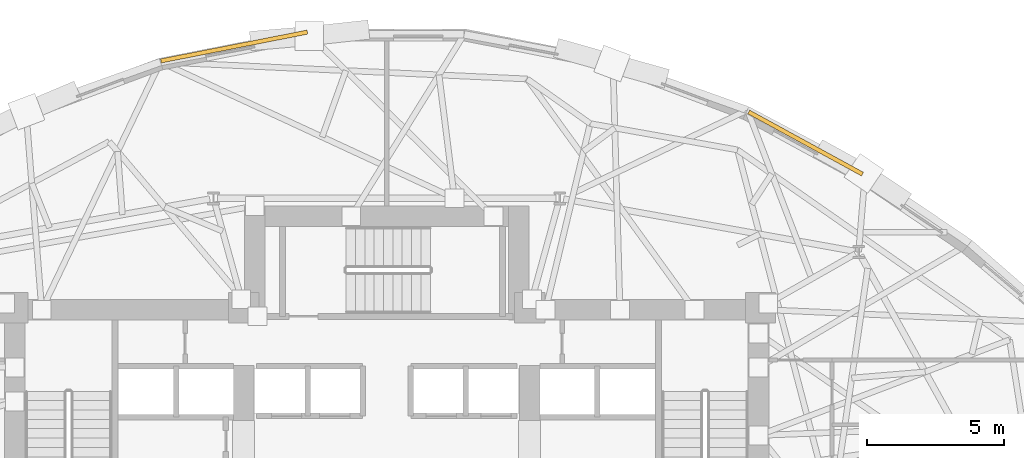
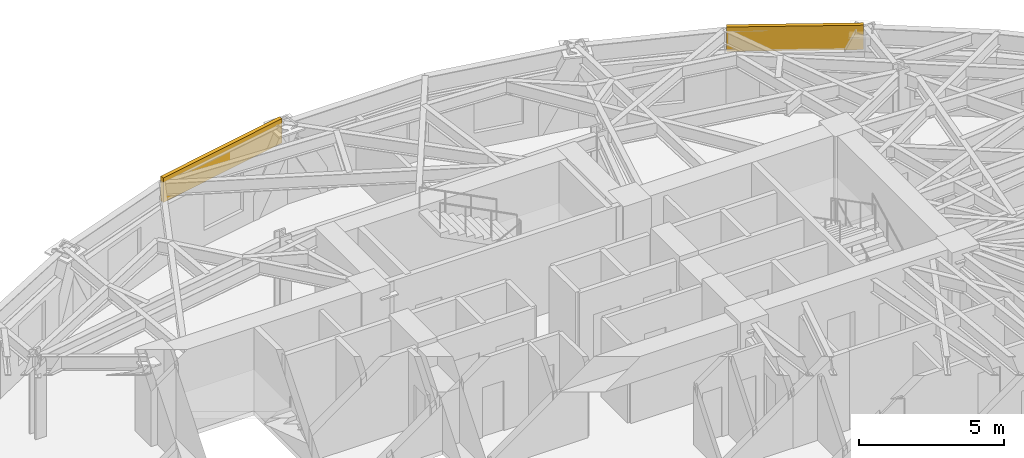
# One storey, part 14 of 14: 2 coverings.
"""IFC4 building model written with IfcOpenShell, lengths in metres."""

from ifc_helpers import new_model, si_unit, direction, frame, origin, origin_2d, place, context, subcontext, project, spatial, rectangle, extrude, material, layer, layer_set, type_object, element, save


model = new_model("IFC4")

# Units and contexts
model_context = context("Model", 3, precision=1e-05, world=origin(), true_north=direction((0.0, 1.0)))
body_context = subcontext(model_context, "Body", "Model", "MODEL_VIEW")
ifc_project = project(units=[si_unit("LENGTHUNIT", "METRE"), si_unit("AREAUNIT", "SQUARE_METRE"), si_unit("VOLUMEUNIT", "CUBIC_METRE"), si_unit("PLANEANGLEUNIT", "RADIAN"), si_unit("MASSUNIT", "GRAM", prefix="KILO")], contexts=[model_context])

# Site, building, storey
site_placement = place(None, origin())
site = spatial("IfcSite", under=ifc_project, at=site_placement, CompositionType="ELEMENT")
building_placement = place(site_placement, origin())
building = spatial("IfcBuilding", under=site, at=building_placement, Name="Keldmark Tower", CompositionType="ELEMENT")
storey_placement = place(building_placement, frame((0.0, 0.0, 89.60009765625)))
storey = spatial("IfcBuildingStorey", under=building, at=storey_placement, Name="L23", CompositionType="ELEMENT", Elevation=89.60009765625)

# Coverings
ifc_material = material(Name="Honed Kasota Buff Dolomitic Limestone", Category="masonry")
ifc_layer = layer(ifc_material, 0.074951171875)
ifc_layer_set = layer_set([ifc_layer], Name="Honed Kasota Buff Dolomitic Limestone")
covering_type = type_object("IfcCoveringType", Name="Kasota Buff Limestone Spandrel Cladding Band", PredefinedType="CLADDING", material=ifc_layer_set)
covering_1_placement = place(storey_placement, frame((15.23583984375, 15.4423828125, 2.45166015625), z_axis=(0.0, 0.0, 1.0), x_axis=(-0.877447723866, 0.479672275498, 0.0)))
element("IfcCovering", 1, at=covering_1_placement, inside=storey, type_object=covering_type, Name="L23 Kasota Limestone Spandrel Band 05", PredefinedType="CLADDING", context=body_context, shape_type="SweptSolid", body=[
    extrude(rectangle(XDim=4.714599609375, YDim=0.14990234375, at=origin_2d()), origin(), (0.0, 0.0, 1.0), 1.028076171875),
])
covering_2_placement = place(storey_placement, frame((-5.547607421875, 18.952392578125, 2.45166015625), z_axis=(0.0, 0.0, 1.0), x_axis=(-0.981181616545, -0.193087118563, 0.0)))
element("IfcCovering", 2, at=covering_2_placement, inside=storey, type_object=covering_type, Name="L23 Kasota Limestone Spandrel Band 09", PredefinedType="CLADDING", context=body_context, shape_type="SweptSolid", body=[
    extrude(rectangle(XDim=5.427490234375, YDim=0.14990234375, at=origin_2d()), origin(), (0.0, 0.0, 1.0), 1.028076171875),
])

save(model, "model.ifc")
